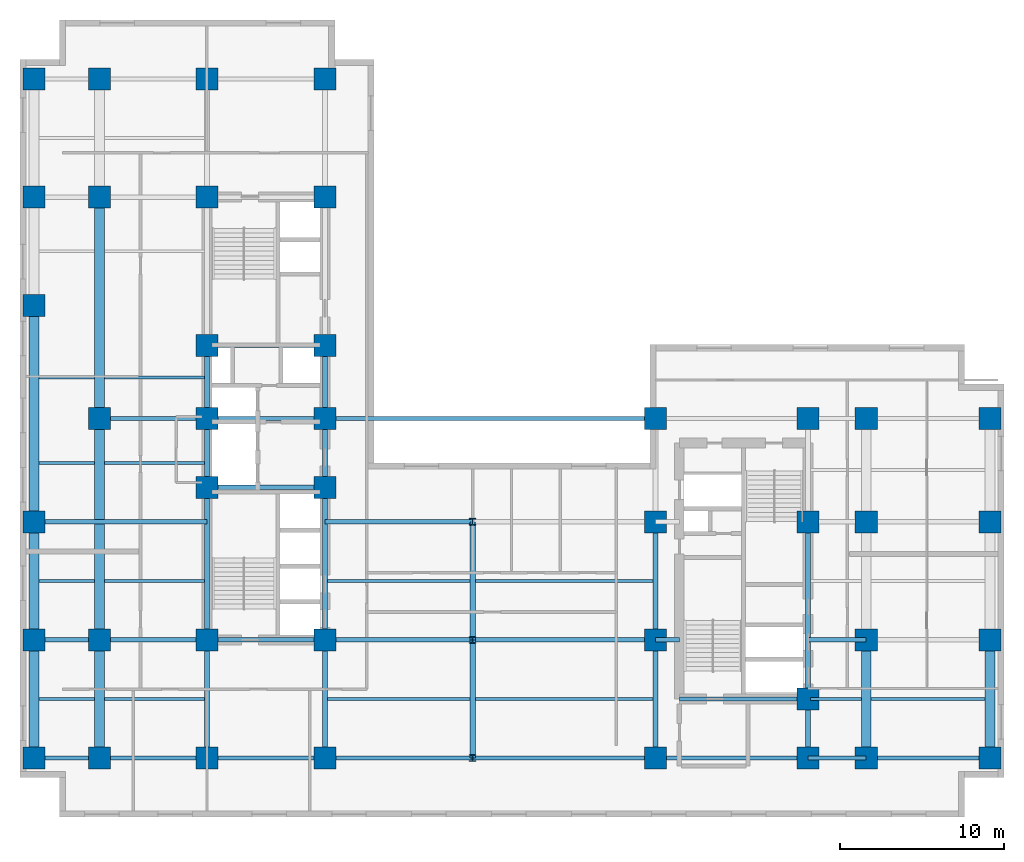
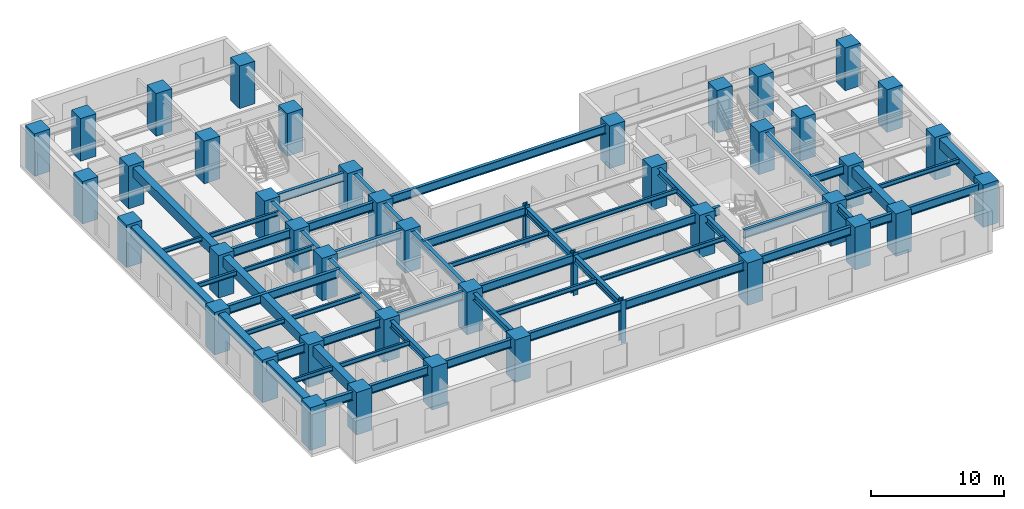
# One storey, part 1 of 9: 59 beams, 44 columns.
"""IFC4 building model written with IfcOpenShell, lengths in metres."""

import ifcopenshell
import ifcopenshell.guid

model = None  # the IFC model being written
_history = None  # IfcOwnerHistory: only IFC2X3 demands one
_inside = {}  # id of a spatial element -> (the spatial element, [elements in it])
_under = {}  # id of a project, library or spatial element -> (it, [spatial elements below it])
_declared = {}  # id of a project -> (the project, [libraries it declares])
_typed = {}  # id of a type object -> (the type object, [elements of that type])
_made_of = {}  # id of a material, layer set ... -> (it, [elements and type objects made of it])


def new_model(schema):
    """Start an empty IFC model of exactly this schema.

    Asked for "IFC4X3", IfcOpenShell would pick the latest addendum, in which some entities
    have other attributes; the version numbers below select the first issue.
    IFC2X3 requires an IfcOwnerHistory on every rooted entity: one is made here for all.
    """
    global model, _history
    if schema == "IFC4X3":
        model = ifcopenshell.file(schema_version=(4, 3, 0, 0))
    else:
        model = ifcopenshell.file(schema=schema)
    _inside.clear()
    _under.clear()
    _declared.clear()
    _typed.clear()
    _made_of.clear()
    _history = None
    if model.schema == "IFC2X3":
        org = make("IfcOrganization", Name="unknown")
        user = make(
            "IfcPersonAndOrganization",
            ThePerson=make("IfcPerson", FamilyName="unknown"),
            TheOrganization=org,
        )
        app = make(
            "IfcApplication",
            ApplicationDeveloper=org,
            Version="unknown",
            ApplicationFullName="unknown",
            ApplicationIdentifier="unknown",
        )
        _history = make(
            "IfcOwnerHistory",
            OwningUser=user,
            OwningApplication=app,
            ChangeAction="ADDED",
            CreationDate=0,
        )
    return model


def make(cls, **values):
    """One entity of the class cls with the attributes given. An attribute that is None is left unset."""
    return model.create_entity(
        cls, **{name: value for name, value in values.items() if value is not None}
    )


def entity(cls, *values):
    """Any entity or typed value of the class cls, its attributes in the order of the schema. None: left unset."""
    e = model.create_entity(cls)
    for i, value in enumerate(values):
        if value is not None:
            e[i] = value
    return e


def rooted(cls, **values):
    """An entity with a GlobalId (a new one), such as an element, a storey or a relation."""
    return make(cls, GlobalId=ifcopenshell.guid.new(), OwnerHistory=_history, **values)


def si_unit(unit_type, name, prefix=None):
    """IfcSIUnit, for example si_unit("LENGTHUNIT", "METRE", prefix="MILLI")."""
    return make("IfcSIUnit", UnitType=unit_type, Prefix=prefix, Name=name)


def converted_unit(unit_type, name, factor, base, dimensions=None, offset=None):
    """IfcConversionBasedUnit, such as the inch: factor (a typed value) times the base unit."""
    return make(
        "IfcConversionBasedUnit"
        if offset is None
        else "IfcConversionBasedUnitWithOffset",
        ConversionOffset=offset,
        Dimensions=None
        if dimensions is None
        else entity("IfcDimensionalExponents", *dimensions),
        UnitType=unit_type,
        Name=name,
        ConversionFactor=make(
            "IfcMeasureWithUnit", ValueComponent=factor, UnitComponent=base
        ),
    )


def assignment(units):
    """IfcUnitAssignment: the units of a project."""
    return None if units is None else make("IfcUnitAssignment", Units=units)


def point(xyz):
    """IfcCartesianPoint."""
    return None if xyz is None else make("IfcCartesianPoint", Coordinates=xyz)


def direction(xyz):
    """IfcDirection."""
    return None if xyz is None else make("IfcDirection", DirectionRatios=xyz)


def frame(location, z_axis=None, x_axis=None):
    """IfcAxis2Placement3D, a coordinate frame: its origin and axes. An axis left out is left unset."""
    return make(
        "IfcAxis2Placement3D",
        Location=point(location),
        Axis=direction(z_axis),
        RefDirection=direction(x_axis),
    )


def frame_2d(location, x_axis=None):
    """IfcAxis2Placement2D, a coordinate frame in the plane: its origin and x axis."""
    return make(
        "IfcAxis2Placement2D", Location=point(location), RefDirection=direction(x_axis)
    )


def origin_with_axes():
    """The frame at (0, 0, 0) with the z axis (0, 0, 1) and the x axis (1, 0, 0) written out."""
    return frame((0.0, 0.0, 0.0), z_axis=(0.0, 0.0, 1.0), x_axis=(1.0, 0.0, 0.0))


def origin_2d_with_axis():
    """The frame at (0, 0) in the plane with the x axis (1, 0) written out."""
    return frame_2d((0.0, 0.0), x_axis=(1.0, 0.0))


def place(relative_to, where):
    """IfcLocalPlacement: puts the frame where relative to a parent placement (None: the world)."""
    return make(
        "IfcLocalPlacement", PlacementRelTo=relative_to, RelativePlacement=where
    )


def context(
    kind, dimensions, precision=None, world=None, true_north=None, identifier=None
):
    """IfcGeometricRepresentationContext, for example the 3D "Model" context."""
    return make(
        "IfcGeometricRepresentationContext",
        ContextIdentifier=identifier,
        ContextType=kind,
        CoordinateSpaceDimension=dimensions,
        Precision=precision,
        WorldCoordinateSystem=world,
        TrueNorth=true_north,
    )


def subcontext(parent, identifier, kind, view, scale=None):
    """IfcGeometricRepresentationSubContext, for example "Body" below "Model"."""
    return make(
        "IfcGeometricRepresentationSubContext",
        ContextIdentifier=identifier,
        ContextType=kind,
        ParentContext=parent,
        TargetScale=scale,
        TargetView=view,
    )


def project(units=None, contexts=None):
    """IfcProject with its units and contexts."""
    return rooted(
        "IfcProject",
        Name="project",
        RepresentationContexts=contexts,
        UnitsInContext=assignment(units),
    )


def spatial(cls, under=None, at=None, **own):
    """A site, building, storey or space (cls), placed at a placement, below another one or the project."""
    s = rooted(cls, ObjectPlacement=at, **own)
    if under is not None:
        _under.setdefault(under.id(), (under, []))[1].append(s)
    return s


def profile(cls, at=None, kind="AREA", **sizes):
    """A parametric profile (cls). Its sizes go by their IFC names, for example OverallWidth=200.0."""
    return make(cls, ProfileType=kind, Position=at, **sizes)


def rectangle(**sizes):
    """IfcRectangleProfileDef."""
    return profile("IfcRectangleProfileDef", **sizes)


def i_section(**sizes):
    """IfcIShapeProfileDef."""
    return profile("IfcIShapeProfileDef", **sizes)


def extrude(swept, where, along, depth):
    """IfcExtrudedAreaSolid: the profile swept, set in the frame where, extruded along a direction by depth."""
    return make(
        "IfcExtrudedAreaSolid",
        SweptArea=swept,
        Position=where,
        ExtrudedDirection=direction(along),
        Depth=depth,
    )


def shape(context_of_items, identifier, shape_type, items):
    """IfcShapeRepresentation: the items that make up one representation, for example the "Body"."""
    return make(
        "IfcShapeRepresentation",
        ContextOfItems=context_of_items,
        RepresentationIdentifier=identifier,
        RepresentationType=shape_type,
        Items=items,
    )


def material(Name=None, Category=None):
    """IfcMaterial."""
    return make("IfcMaterial", Name=Name, Category=Category)


def material_profile(
    of_material, cross_section, Name=None, Category=None, Priority=None
):
    """IfcMaterialProfile: a cross section and its material."""
    return make(
        "IfcMaterialProfile",
        Name=Name,
        Material=of_material,
        Profile=cross_section,
        Priority=Priority,
        Category=Category,
    )


def profile_set(profiles, Name=None, composite=None):
    """IfcMaterialProfileSet."""
    return make(
        "IfcMaterialProfileSet",
        Name=Name,
        MaterialProfiles=profiles,
        CompositeProfile=composite,
    )


def made_of(thing, what):
    """Note that an element or type object is made of a material, layer set ...; save() writes the relation."""
    if what is not None:
        _made_of.setdefault(what.id(), (what, []))[1].append(thing)
    return thing


def type_object(cls, material=None, **own):
    """A type object (cls), such as IfcWallType, which elements share."""
    return made_of(rooted(cls, **own), material)


def element(
    cls,
    number,
    at=None,
    inside=None,
    cuts=None,
    type_object=None,
    material=None,
    context=None,
    identifier="Body",
    shape_type=None,
    held_by="IfcProductDefinitionShape",
    body=None,
    shapes=None,
    **own,
):
    """One element of the class cls, such as IfcWall. Its Tag is "e" and its number.

    at: its placement. inside: the storey or other place that contains it. cuts: it is an
    opening in that element (IfcRelVoidsElement). A single representation is given by context,
    identifier, shape_type and body (its items); several are given by shapes. held_by: the class
    of the entity that holds the representations. save() writes the other relations.
    """
    e = rooted(cls, Tag="e%d" % number, ObjectPlacement=at, **own)
    if body is not None:
        shapes = [shape(context, identifier, shape_type, body)]
    if shapes is not None:
        e.Representation = make(held_by, Representations=shapes)
    if inside is not None:
        _inside.setdefault(inside.id(), (inside, []))[1].append(e)
    if cuts is not None:
        rooted(
            "IfcRelVoidsElement", RelatingBuildingElement=cuts, RelatedOpeningElement=e
        )
    if type_object is not None:
        _typed.setdefault(type_object.id(), (type_object, []))[1].append(e)
    return made_of(e, material)


def aggregate(whole, parts):
    """IfcRelAggregates: a whole, such as a stair, and the parts it consists of."""
    return rooted("IfcRelAggregates", RelatingObject=whole, RelatedObjects=parts)


def save(model, path):
    """Write the relations noted so far, then the file.

    IfcRelAggregates (storeys below a building ...), IfcRelContainedInSpatialStructure (elements
    in a storey), IfcRelDefinesByType, IfcRelAssociatesMaterial and IfcRelDeclares: one each for
    every whole, place, type object, material and project.
    """
    for whole, parts in _under.values():
        aggregate(whole, parts)
    for where, things in _inside.values():
        rooted(
            "IfcRelContainedInSpatialStructure",
            RelatedElements=things,
            RelatingStructure=where,
        )
    for kind, things in _typed.values():
        rooted("IfcRelDefinesByType", RelatedObjects=things, RelatingType=kind)
    for what, things in _made_of.values():
        rooted("IfcRelAssociatesMaterial", RelatedObjects=things, RelatingMaterial=what)
    for by, libraries in _declared.values():
        rooted("IfcRelDeclares", RelatingContext=by, RelatedDefinitions=libraries)
    model.write(path)


model = new_model("IFC4")

# Units and contexts
model_context = context("Model", 3, precision=1e-05, world=origin_with_axes(), true_north=direction((0.0, 1.0)))
body_context = subcontext(model_context, "Body", "Model", "MODEL_VIEW")
ifc_project = project(units=[si_unit("LENGTHUNIT", "METRE"), si_unit("AREAUNIT", "SQUARE_METRE"), si_unit("VOLUMEUNIT", "CUBIC_METRE"), converted_unit("PLANEANGLEUNIT", "DEGREE", entity("IfcPlaneAngleMeasure", 0.017453292519943295), si_unit("PLANEANGLEUNIT", "RADIAN"), dimensions=[0, 0, 0, 0, 0, 0, 0]), si_unit("MASSUNIT", "GRAM", prefix="KILO"), si_unit("THERMODYNAMICTEMPERATUREUNIT", "KELVIN")], contexts=[model_context])

# Site, building, storey
site_placement = place(None, origin_with_axes())
site = spatial("IfcSite", under=ifc_project, at=site_placement, CompositionType="ELEMENT")
building_placement = place(site_placement, origin_with_axes())
building = spatial("IfcBuilding", under=site, at=building_placement, Name="Varnlund Millrace Tower", CompositionType="ELEMENT")
storey_placement = place(building_placement, frame((0.0, 0.0, 67.8), z_axis=(0.0, 0.0, 1.0), x_axis=(1.0, 0.0, 0.0)))
storey = spatial("IfcBuildingStorey", under=building, at=storey_placement, Name="L16", CompositionType="ELEMENT", Elevation=67.8)

# Columns
ifc_material_1 = material(Name="Steel ASTM A913 Grade 65", Category="steel")
ifc_material_profile_1 = material_profile(ifc_material_1, i_section(OverallWidth=0.406, OverallDepth=0.416, WebThickness=0.0298, FlangeThickness=0.048, FilletRadius=0.022, at=origin_2d_with_axis()), Name="Steel ASTM A913 Grade 65")
ifc_profile_set_1 = profile_set([ifc_material_profile_1], Name="Steel ASTM A913 Grade 65")
column_type_1 = type_object("IfcColumnType", Name="Type-Col-Int-W14X257", PredefinedType="COLUMN", material=ifc_profile_set_1)
for number, where, z_axis, x_axis, name in (
    (1, (27.6, 3.6, 0.0), (0.0, 0.0, 1.0), (1.0, 0.0, 0.0), "Type-Col-Int-W14X257"),
    (2, (27.6, 10.8, 0.0), (0.0, 0.0, 1.0), (1.0, 0.0, 0.0), "Type-Col-Int-W14X257"),
    (3, (27.6, 18.0, 0.0), (0.0, 0.0, 1.0), (1.0, 0.0, 0.0), "Type-Col-Int-W14X257"),
):
    element("IfcColumn", number, at=place(storey_placement, frame(where, z_axis=z_axis, x_axis=x_axis)), inside=storey, type_object=column_type_1, Name=name, PredefinedType="COLUMN", context=body_context, shape_type="SweptSolid", body=[
        extrude(i_section(OverallWidth=0.406, OverallDepth=0.416, WebThickness=0.0298, FlangeThickness=0.048, FilletRadius=0.022, at=origin_2d_with_axis()), origin_with_axes(), (0.0, 0.0, 1.0), 3.9),
    ])
ifc_material_2 = material(Name="Concrete C80/95", Category="concrete")
ifc_material_profile_2 = material_profile(ifc_material_2, rectangle(XDim=1.35, YDim=1.35, at=origin_2d_with_axis()), Name="Concrete C80/95")
ifc_profile_set_2 = profile_set([ifc_material_profile_2], Name="Concrete C80/95")
column_type_2 = type_object("IfcColumnType", Name="Type-Col-RC1350-C80", PredefinedType="COLUMN", material=ifc_profile_set_2)
for number, where, z_axis, x_axis, name in (
    (4, (11.4, 3.6, 0.0), (0.0, 0.0, 1.0), (1.0, 0.0, 0.0), "Type-Col-RC1350-C80"),
    (5, (11.4, 10.8, 0.0), (0.0, 0.0, 1.0), (1.0, 0.0, 0.0), "Type-Col-RC1350-C80"),
    (6, (11.4, 20.1, 0.0), (0.0, 0.0, 1.0), (1.0, 0.0, 0.0), "Type-Col-RC1350-C80"),
    (7, (11.4, 24.3, 0.0), (0.0, 0.0, 1.0), (1.0, 0.0, 0.0), "Type-Col-RC1350-C80"),
    (8, (11.4, 28.75, 0.0), (0.0, 0.0, 1.0), (1.0, 0.0, 0.0), "Type-Col-RC1350-C80"),
    (9, (11.4, 37.8, 0.0), (0.0, 0.0, 1.0), (1.0, 0.0, 0.0), "Type-Col-RC1350-C80"),
    (10, (11.4, 45.0, 0.0), (0.0, 0.0, 1.0), (1.0, 0.0, 0.0), "Type-Col-RC1350-C80"),
    (11, (18.6, 3.6, 0.0), (0.0, 0.0, 1.0), (1.0, 0.0, 0.0), "Type-Col-RC1350-C80"),
    (12, (18.6, 10.8, 0.0), (0.0, 0.0, 1.0), (1.0, 0.0, 0.0), "Type-Col-RC1350-C80"),
    (13, (18.6, 20.1, 0.0), (0.0, 0.0, 1.0), (1.0, 0.0, 0.0), "Type-Col-RC1350-C80"),
    (14, (18.6, 24.3, 0.0), (0.0, 0.0, 1.0), (1.0, 0.0, 0.0), "Type-Col-RC1350-C80"),
    (15, (18.6, 28.75, 0.0), (0.0, 0.0, 1.0), (1.0, 0.0, 0.0), "Type-Col-RC1350-C80"),
    (16, (18.6, 37.8, 0.0), (0.0, 0.0, 1.0), (1.0, 0.0, 0.0), "Type-Col-RC1350-C80"),
    (17, (18.6, 45.0, 0.0), (0.0, 0.0, 1.0), (1.0, 0.0, 0.0), "Type-Col-RC1350-C80"),
    (18, (4.85, 3.6, 0.0), (0.0, 0.0, 1.0), (1.0, 0.0, 0.0), "Type-Col-RC1350-C80"),
    (19, (4.85, 10.8, 0.0), (0.0, 0.0, 1.0), (1.0, 0.0, 0.0), "Type-Col-RC1350-C80"),
    (20, (4.85, 24.3, 0.0), (0.0, 0.0, 1.0), (1.0, 0.0, 0.0), "Type-Col-RC1350-C80"),
    (21, (4.85, 37.8, 0.0), (0.0, 0.0, 1.0), (1.0, 0.0, 0.0), "Type-Col-RC1350-C80"),
    (22, (4.85, 45.0, 0.0), (0.0, 0.0, 1.0), (1.0, 0.0, 0.0), "Type-Col-RC1350-C80"),
    (23, (0.85, 3.6, 0.0), (0.0, 0.0, 1.0), (1.0, 0.0, 0.0), "Type-Col-RC1350-C80"),
    (24, (0.85, 10.8, 0.0), (0.0, 0.0, 1.0), (1.0, 0.0, 0.0), "Type-Col-RC1350-C80"),
    (25, (0.85, 18.0, 0.0), (0.0, 0.0, 1.0), (1.0, 0.0, 0.0), "Type-Col-RC1350-C80"),
    (26, (0.85, 31.2, 0.0), (0.0, 0.0, 1.0), (1.0, 0.0, 0.0), "Type-Col-RC1350-C80"),
    (27, (0.85, 37.8, 0.0), (0.0, 0.0, 1.0), (1.0, 0.0, 0.0), "Type-Col-RC1350-C80"),
    (28, (0.85, 45.0, 0.0), (0.0, 0.0, 1.0), (1.0, 0.0, 0.0), "Type-Col-RC1350-C80"),
    (29, (38.75, 3.6, 0.0), (0.0, 0.0, 1.0), (1.0, 0.0, 0.0), "Type-Col-RC1350-C80"),
    (30, (38.75, 10.8, 0.0), (0.0, 0.0, 1.0), (1.0, 0.0, 0.0), "Type-Col-RC1350-C80"),
    (31, (38.75, 18.0, 0.0), (0.0, 0.0, 1.0), (1.0, 0.0, 0.0), "Type-Col-RC1350-C80"),
    (32, (38.75, 24.3, 0.0), (0.0, 0.0, 1.0), (1.0, 0.0, 0.0), "Type-Col-RC1350-C80"),
    (33, (48.05, 3.6, 0.0), (0.0, 0.0, 1.0), (1.0, 0.0, 0.0), "Type-Col-RC1350-C80"),
    (34, (48.05, 7.2, 0.0), (0.0, 0.0, 1.0), (1.0, 0.0, 0.0), "Type-Col-RC1350-C80"),
    (35, (48.05, 18.0, 0.0), (0.0, 0.0, 1.0), (1.0, 0.0, 0.0), "Type-Col-RC1350-C80"),
    (36, (48.05, 24.3, 0.0), (0.0, 0.0, 1.0), (1.0, 0.0, 0.0), "Type-Col-RC1350-C80"),
    (37, (51.6, 3.6, 0.0), (0.0, 0.0, 1.0), (1.0, 0.0, 0.0), "Type-Col-RC1350-C80"),
    (38, (51.6, 10.8, 0.0), (0.0, 0.0, 1.0), (1.0, 0.0, 0.0), "Type-Col-RC1350-C80"),
    (39, (51.6, 18.0, 0.0), (0.0, 0.0, 1.0), (1.0, 0.0, 0.0), "Type-Col-RC1350-C80"),
    (40, (51.6, 24.3, 0.0), (0.0, 0.0, 1.0), (1.0, 0.0, 0.0), "Type-Col-RC1350-C80"),
    (41, (59.15, 3.6, 0.0), (0.0, 0.0, 1.0), (1.0, 0.0, 0.0), "Type-Col-RC1350-C80"),
    (42, (59.15, 10.8, 0.0), (0.0, 0.0, 1.0), (1.0, 0.0, 0.0), "Type-Col-RC1350-C80"),
    (43, (59.15, 18.0, 0.0), (0.0, 0.0, 1.0), (1.0, 0.0, 0.0), "Type-Col-RC1350-C80"),
    (44, (59.15, 24.3, 0.0), (0.0, 0.0, 1.0), (1.0, 0.0, 0.0), "Type-Col-RC1350-C80"),
):
    element("IfcColumn", number, at=place(storey_placement, frame(where, z_axis=z_axis, x_axis=x_axis)), inside=storey, type_object=column_type_2, Name=name, PredefinedType="COLUMN", context=body_context, shape_type="SweptSolid", body=[
        extrude(rectangle(XDim=1.35, YDim=1.35, at=origin_2d_with_axis()), origin_with_axes(), (0.0, 0.0, 1.0), 3.9),
    ])

# Beams
ifc_material_3 = material(Name="Steel ASTM A992 Grade 50", Category="steel")
ifc_material_profile_3 = material_profile(ifc_material_3, i_section(OverallWidth=0.328, OverallDepth=0.628, WebThickness=0.0165, FlangeThickness=0.0277, FilletRadius=0.018, at=origin_2d_with_axis()), Name="Steel ASTM A992 Grade 50")
ifc_profile_set_3 = profile_set([ifc_material_profile_3], Name="Steel ASTM A992 Grade 50")
beam_type_1 = type_object("IfcBeamType", Name="Type-Girder-W24X146", PredefinedType="USERDEFINED", material=ifc_profile_set_3)
beam_1_placement = place(storey_placement, frame((11.4, 3.6, 3.346), z_axis=(0.0, 1.0, 0.0), x_axis=(-1.0, 0.0, 0.0)))
element("IfcBeam", 45, at=beam_1_placement, inside=storey, type_object=beam_type_1, Name="Type-Girder-W24X146", ObjectType="GIRDER", PredefinedType="USERDEFINED", context=body_context, shape_type="SweptSolid", body=[
    extrude(i_section(OverallWidth=0.328, OverallDepth=0.628, WebThickness=0.0165, FlangeThickness=0.0277, FilletRadius=0.018, at=origin_2d_with_axis()), origin_with_axes(), (0.0, 0.0, 1.0), 7.2),
])
beam_2_placement = place(storey_placement, frame((11.4, 10.8, 3.346), z_axis=(0.0, 1.0, 0.0), x_axis=(-1.0, 0.0, 0.0)))
element("IfcBeam", 46, at=beam_2_placement, inside=storey, type_object=beam_type_1, Name="Type-Girder-W24X146", ObjectType="GIRDER", PredefinedType="USERDEFINED", context=body_context, shape_type="SweptSolid", body=[
    extrude(i_section(OverallWidth=0.328, OverallDepth=0.628, WebThickness=0.0165, FlangeThickness=0.0277, FilletRadius=0.018, at=origin_2d_with_axis()), origin_with_axes(), (0.0, 0.0, 1.0), 9.3),
])
beam_3_placement = place(storey_placement, frame((11.4, 20.1, 3.346), z_axis=(0.0, 1.0, 0.0), x_axis=(-1.0, 0.0, 0.0)))
element("IfcBeam", 47, at=beam_3_placement, inside=storey, type_object=beam_type_1, Name="Type-Girder-W24X146", ObjectType="GIRDER", PredefinedType="USERDEFINED", context=body_context, shape_type="SweptSolid", body=[
    extrude(i_section(OverallWidth=0.328, OverallDepth=0.628, WebThickness=0.0165, FlangeThickness=0.0277, FilletRadius=0.018, at=origin_2d_with_axis()), origin_with_axes(), (0.0, 0.0, 1.0), 4.2),
])
beam_4_placement = place(storey_placement, frame((11.4, 24.3, 3.346), z_axis=(0.0, 1.0, 0.0), x_axis=(-1.0, 0.0, 0.0)))
element("IfcBeam", 48, at=beam_4_placement, inside=storey, type_object=beam_type_1, Name="Type-Girder-W24X146", ObjectType="GIRDER", PredefinedType="USERDEFINED", context=body_context, shape_type="SweptSolid", body=[
    extrude(i_section(OverallWidth=0.328, OverallDepth=0.628, WebThickness=0.0165, FlangeThickness=0.0277, FilletRadius=0.018, at=origin_2d_with_axis()), origin_with_axes(), (0.0, 0.0, 1.0), 4.45),
])
beam_5_placement = place(storey_placement, frame((18.6, 3.6, 3.346), z_axis=(0.0, 1.0, 0.0), x_axis=(-1.0, 0.0, 0.0)))
element("IfcBeam", 49, at=beam_5_placement, inside=storey, type_object=beam_type_1, Name="Type-Girder-W24X146", ObjectType="GIRDER", PredefinedType="USERDEFINED", context=body_context, shape_type="SweptSolid", body=[
    extrude(i_section(OverallWidth=0.328, OverallDepth=0.628, WebThickness=0.0165, FlangeThickness=0.0277, FilletRadius=0.018, at=origin_2d_with_axis()), origin_with_axes(), (0.0, 0.0, 1.0), 7.2),
])
beam_6_placement = place(storey_placement, frame((18.6, 10.8, 3.346), z_axis=(0.0, 1.0, 0.0), x_axis=(-1.0, 0.0, 0.0)))
element("IfcBeam", 50, at=beam_6_placement, inside=storey, type_object=beam_type_1, Name="Type-Girder-W24X146", ObjectType="GIRDER", PredefinedType="USERDEFINED", context=body_context, shape_type="SweptSolid", body=[
    extrude(i_section(OverallWidth=0.328, OverallDepth=0.628, WebThickness=0.0165, FlangeThickness=0.0277, FilletRadius=0.018, at=origin_2d_with_axis()), origin_with_axes(), (0.0, 0.0, 1.0), 9.3),
])
beam_7_placement = place(storey_placement, frame((18.6, 20.1, 3.346), z_axis=(0.0, 1.0, 0.0), x_axis=(-1.0, 0.0, 0.0)))
element("IfcBeam", 51, at=beam_7_placement, inside=storey, type_object=beam_type_1, Name="Type-Girder-W24X146", ObjectType="GIRDER", PredefinedType="USERDEFINED", context=body_context, shape_type="SweptSolid", body=[
    extrude(i_section(OverallWidth=0.328, OverallDepth=0.628, WebThickness=0.0165, FlangeThickness=0.0277, FilletRadius=0.018, at=origin_2d_with_axis()), origin_with_axes(), (0.0, 0.0, 1.0), 4.2),
])
beam_8_placement = place(storey_placement, frame((18.6, 24.3, 3.346), z_axis=(0.0, 1.0, 0.0), x_axis=(-1.0, 0.0, 0.0)))
element("IfcBeam", 52, at=beam_8_placement, inside=storey, type_object=beam_type_1, Name="Type-Girder-W24X146", ObjectType="GIRDER", PredefinedType="USERDEFINED", context=body_context, shape_type="SweptSolid", body=[
    extrude(i_section(OverallWidth=0.328, OverallDepth=0.628, WebThickness=0.0165, FlangeThickness=0.0277, FilletRadius=0.018, at=origin_2d_with_axis()), origin_with_axes(), (0.0, 0.0, 1.0), 4.45),
])
for number, where, z_axis, x_axis, name in (
    (53, (27.6, 3.6, 3.346), (0.0, 1.0, 0.0), (-1.0, 0.0, 0.0), "Type-Girder-W24X146"),
    (54, (27.6, 10.8, 3.346), (0.0, 1.0, 0.0), (-1.0, 0.0, 0.0), "Type-Girder-W24X146"),
    (55, (38.75, 3.6, 3.346), (0.0, 1.0, 0.0), (-1.0, 0.0, 0.0), "Type-Girder-W24X146"),
    (56, (38.75, 10.8, 3.346), (0.0, 1.0, 0.0), (-1.0, 0.0, 0.0), "Type-Girder-W24X146"),
):
    element("IfcBeam", number, at=place(storey_placement, frame(where, z_axis=z_axis, x_axis=x_axis)), inside=storey, type_object=beam_type_1, Name=name, ObjectType="GIRDER", PredefinedType="USERDEFINED", context=body_context, shape_type="SweptSolid", body=[
        extrude(i_section(OverallWidth=0.328, OverallDepth=0.628, WebThickness=0.0165, FlangeThickness=0.0277, FilletRadius=0.018, at=origin_2d_with_axis()), origin_with_axes(), (0.0, 0.0, 1.0), 7.2),
    ])
beam_9_placement = place(storey_placement, frame((48.05, 3.6, 3.346), z_axis=(0.0, 1.0, 0.0), x_axis=(-1.0, 0.0, 0.0)))
element("IfcBeam", 57, at=beam_9_placement, inside=storey, type_object=beam_type_1, Name="Type-Girder-W24X146", ObjectType="GIRDER", PredefinedType="USERDEFINED", context=body_context, shape_type="SweptSolid", body=[
    extrude(i_section(OverallWidth=0.328, OverallDepth=0.628, WebThickness=0.0165, FlangeThickness=0.0277, FilletRadius=0.018, at=origin_2d_with_axis()), origin_with_axes(), (0.0, 0.0, 1.0), 3.6),
])
beam_10_placement = place(storey_placement, frame((48.05, 7.2, 3.346), z_axis=(0.0, 1.0, 0.0), x_axis=(-1.0, 0.0, 0.0)))
element("IfcBeam", 58, at=beam_10_placement, inside=storey, type_object=beam_type_1, Name="Type-Girder-W24X146", ObjectType="GIRDER", PredefinedType="USERDEFINED", context=body_context, shape_type="SweptSolid", body=[
    extrude(i_section(OverallWidth=0.328, OverallDepth=0.628, WebThickness=0.0165, FlangeThickness=0.0277, FilletRadius=0.018, at=origin_2d_with_axis()), origin_with_axes(), (0.0, 0.0, 1.0), 10.8),
])
ifc_material_profile_4 = material_profile(ifc_material_3, i_section(OverallWidth=0.266, OverallDepth=0.779, WebThickness=0.0165, FlangeThickness=0.03, FilletRadius=0.02, at=origin_2d_with_axis()), Name="Steel ASTM A992 Grade 50")
ifc_profile_set_4 = profile_set([ifc_material_profile_4], Name="Steel ASTM A992 Grade 50")
beam_type_2 = type_object("IfcBeamType", Name="Type-Girder-W30X148", PredefinedType="USERDEFINED", material=ifc_profile_set_4)
beam_11_placement = place(storey_placement, frame((0.85, 3.6, 3.2705), z_axis=(1.0, 0.0, 0.0), x_axis=(0.0, 1.0, 0.0)))
element("IfcBeam", 59, at=beam_11_placement, inside=storey, type_object=beam_type_2, Name="Type-Girder-W30X148", ObjectType="GIRDER", PredefinedType="USERDEFINED", context=body_context, shape_type="SweptSolid", body=[
    extrude(i_section(OverallWidth=0.266, OverallDepth=0.779, WebThickness=0.0165, FlangeThickness=0.03, FilletRadius=0.02, at=origin_2d_with_axis()), origin_with_axes(), (0.0, 0.0, 1.0), 4.0),
])
beam_12_placement = place(storey_placement, frame((4.85, 3.6, 3.2705), z_axis=(1.0, 0.0, 0.0), x_axis=(0.0, 1.0, 0.0)))
element("IfcBeam", 60, at=beam_12_placement, inside=storey, type_object=beam_type_2, Name="Type-Girder-W30X148", ObjectType="GIRDER", PredefinedType="USERDEFINED", context=body_context, shape_type="SweptSolid", body=[
    extrude(i_section(OverallWidth=0.266, OverallDepth=0.779, WebThickness=0.0165, FlangeThickness=0.03, FilletRadius=0.02, at=origin_2d_with_axis()), origin_with_axes(), (0.0, 0.0, 1.0), 6.55),
])
beam_13_placement = place(storey_placement, frame((11.4, 3.6, 3.2705), z_axis=(1.0, 0.0, 0.0), x_axis=(0.0, 1.0, 0.0)))
element("IfcBeam", 61, at=beam_13_placement, inside=storey, type_object=beam_type_2, Name="Type-Girder-W30X148", ObjectType="GIRDER", PredefinedType="USERDEFINED", context=body_context, shape_type="SweptSolid", body=[
    extrude(i_section(OverallWidth=0.266, OverallDepth=0.779, WebThickness=0.0165, FlangeThickness=0.03, FilletRadius=0.02, at=origin_2d_with_axis()), origin_with_axes(), (0.0, 0.0, 1.0), 7.2),
])
beam_14_placement = place(storey_placement, frame((18.6, 3.6, 3.2705), z_axis=(1.0, 0.0, 0.0), x_axis=(0.0, 1.0, 0.0)))
element("IfcBeam", 62, at=beam_14_placement, inside=storey, type_object=beam_type_2, Name="Type-Girder-W30X148", ObjectType="GIRDER", PredefinedType="USERDEFINED", context=body_context, shape_type="SweptSolid", body=[
    extrude(i_section(OverallWidth=0.266, OverallDepth=0.779, WebThickness=0.0165, FlangeThickness=0.03, FilletRadius=0.02, at=origin_2d_with_axis()), origin_with_axes(), (0.0, 0.0, 1.0), 9.0),
])
beam_15_placement = place(storey_placement, frame((27.6, 3.6, 3.2705), z_axis=(1.0, 0.0, 0.0), x_axis=(0.0, 1.0, 0.0)))
element("IfcBeam", 63, at=beam_15_placement, inside=storey, type_object=beam_type_2, Name="Type-Girder-W30X148", ObjectType="GIRDER", PredefinedType="USERDEFINED", context=body_context, shape_type="SweptSolid", body=[
    extrude(i_section(OverallWidth=0.266, OverallDepth=0.779, WebThickness=0.0165, FlangeThickness=0.03, FilletRadius=0.02, at=origin_2d_with_axis()), origin_with_axes(), (0.0, 0.0, 1.0), 11.15),
])
beam_16_placement = place(storey_placement, frame((38.75, 3.6, 3.2705), z_axis=(1.0, 0.0, 0.0), x_axis=(0.0, 1.0, 0.0)))
element("IfcBeam", 64, at=beam_16_placement, inside=storey, type_object=beam_type_2, Name="Type-Girder-W30X148", ObjectType="GIRDER", PredefinedType="USERDEFINED", context=body_context, shape_type="SweptSolid", body=[
    extrude(i_section(OverallWidth=0.266, OverallDepth=0.779, WebThickness=0.0165, FlangeThickness=0.03, FilletRadius=0.02, at=origin_2d_with_axis()), origin_with_axes(), (0.0, 0.0, 1.0), 9.3),
])
beam_17_placement = place(storey_placement, frame((48.05, 3.6, 3.2705), z_axis=(1.0, 0.0, 0.0), x_axis=(0.0, 1.0, 0.0)))
element("IfcBeam", 65, at=beam_17_placement, inside=storey, type_object=beam_type_2, Name="Type-Girder-W30X148", ObjectType="GIRDER", PredefinedType="USERDEFINED", context=body_context, shape_type="SweptSolid", body=[
    extrude(i_section(OverallWidth=0.266, OverallDepth=0.779, WebThickness=0.0165, FlangeThickness=0.03, FilletRadius=0.02, at=origin_2d_with_axis()), origin_with_axes(), (0.0, 0.0, 1.0), 3.55),
])
beam_18_placement = place(storey_placement, frame((51.6, 3.6, 3.2705), z_axis=(1.0, 0.0, 0.0), x_axis=(0.0, 1.0, 0.0)))
element("IfcBeam", 66, at=beam_18_placement, inside=storey, type_object=beam_type_2, Name="Type-Girder-W30X148", ObjectType="GIRDER", PredefinedType="USERDEFINED", context=body_context, shape_type="SweptSolid", body=[
    extrude(i_section(OverallWidth=0.266, OverallDepth=0.779, WebThickness=0.0165, FlangeThickness=0.03, FilletRadius=0.02, at=origin_2d_with_axis()), origin_with_axes(), (0.0, 0.0, 1.0), 7.55),
])
beam_19_placement = place(storey_placement, frame((40.2, 7.2, 3.2705), z_axis=(1.0, 0.0, 0.0), x_axis=(0.0, 1.0, 0.0)))
element("IfcBeam", 67, at=beam_19_placement, inside=storey, type_object=beam_type_2, Name="Type-Girder-W30X148", ObjectType="GIRDER", PredefinedType="USERDEFINED", context=body_context, shape_type="SweptSolid", body=[
    extrude(i_section(OverallWidth=0.266, OverallDepth=0.779, WebThickness=0.0165, FlangeThickness=0.03, FilletRadius=0.02, at=origin_2d_with_axis()), origin_with_axes(), (0.0, 0.0, 1.0), 7.85),
])
beam_20_placement = place(storey_placement, frame((0.85, 10.8, 3.2705), z_axis=(1.0, 0.0, 0.0), x_axis=(0.0, 1.0, 0.0)))
element("IfcBeam", 68, at=beam_20_placement, inside=storey, type_object=beam_type_2, Name="Type-Girder-W30X148", ObjectType="GIRDER", PredefinedType="USERDEFINED", context=body_context, shape_type="SweptSolid", body=[
    extrude(i_section(OverallWidth=0.266, OverallDepth=0.779, WebThickness=0.0165, FlangeThickness=0.03, FilletRadius=0.02, at=origin_2d_with_axis()), origin_with_axes(), (0.0, 0.0, 1.0), 4.0),
])
beam_21_placement = place(storey_placement, frame((4.85, 10.8, 3.2705), z_axis=(1.0, 0.0, 0.0), x_axis=(0.0, 1.0, 0.0)))
element("IfcBeam", 69, at=beam_21_placement, inside=storey, type_object=beam_type_2, Name="Type-Girder-W30X148", ObjectType="GIRDER", PredefinedType="USERDEFINED", context=body_context, shape_type="SweptSolid", body=[
    extrude(i_section(OverallWidth=0.266, OverallDepth=0.779, WebThickness=0.0165, FlangeThickness=0.03, FilletRadius=0.02, at=origin_2d_with_axis()), origin_with_axes(), (0.0, 0.0, 1.0), 6.55),
])
beam_22_placement = place(storey_placement, frame((11.4, 10.8, 3.2705), z_axis=(1.0, 0.0, 0.0), x_axis=(0.0, 1.0, 0.0)))
element("IfcBeam", 70, at=beam_22_placement, inside=storey, type_object=beam_type_2, Name="Type-Girder-W30X148", ObjectType="GIRDER", PredefinedType="USERDEFINED", context=body_context, shape_type="SweptSolid", body=[
    extrude(i_section(OverallWidth=0.266, OverallDepth=0.779, WebThickness=0.0165, FlangeThickness=0.03, FilletRadius=0.02, at=origin_2d_with_axis()), origin_with_axes(), (0.0, 0.0, 1.0), 7.2),
])
beam_23_placement = place(storey_placement, frame((18.6, 10.8, 3.2705), z_axis=(1.0, 0.0, 0.0), x_axis=(0.0, 1.0, 0.0)))
element("IfcBeam", 71, at=beam_23_placement, inside=storey, type_object=beam_type_2, Name="Type-Girder-W30X148", ObjectType="GIRDER", PredefinedType="USERDEFINED", context=body_context, shape_type="SweptSolid", body=[
    extrude(i_section(OverallWidth=0.266, OverallDepth=0.779, WebThickness=0.0165, FlangeThickness=0.03, FilletRadius=0.02, at=origin_2d_with_axis()), origin_with_axes(), (0.0, 0.0, 1.0), 9.0),
])
beam_24_placement = place(storey_placement, frame((27.6, 10.8, 3.2705), z_axis=(1.0, 0.0, 0.0), x_axis=(0.0, 1.0, 0.0)))
element("IfcBeam", 72, at=beam_24_placement, inside=storey, type_object=beam_type_2, Name="Type-Girder-W30X148", ObjectType="GIRDER", PredefinedType="USERDEFINED", context=body_context, shape_type="SweptSolid", body=[
    extrude(i_section(OverallWidth=0.266, OverallDepth=0.779, WebThickness=0.0165, FlangeThickness=0.03, FilletRadius=0.02, at=origin_2d_with_axis()), origin_with_axes(), (0.0, 0.0, 1.0), 11.15),
])
beam_25_placement = place(storey_placement, frame((38.75, 10.8, 3.2705), z_axis=(1.0, 0.0, 0.0), x_axis=(0.0, 1.0, 0.0)))
element("IfcBeam", 73, at=beam_25_placement, inside=storey, type_object=beam_type_2, Name="Type-Girder-W30X148", ObjectType="GIRDER", PredefinedType="USERDEFINED", context=body_context, shape_type="SweptSolid", body=[
    extrude(i_section(OverallWidth=0.266, OverallDepth=0.779, WebThickness=0.0165, FlangeThickness=0.03, FilletRadius=0.02, at=origin_2d_with_axis()), origin_with_axes(), (0.0, 0.0, 1.0), 1.45),
])
beam_26_placement = place(storey_placement, frame((48.05, 10.8, 3.2705), z_axis=(1.0, 0.0, 0.0), x_axis=(0.0, 1.0, 0.0)))
element("IfcBeam", 74, at=beam_26_placement, inside=storey, type_object=beam_type_2, Name="Type-Girder-W30X148", ObjectType="GIRDER", PredefinedType="USERDEFINED", context=body_context, shape_type="SweptSolid", body=[
    extrude(i_section(OverallWidth=0.266, OverallDepth=0.779, WebThickness=0.0165, FlangeThickness=0.03, FilletRadius=0.02, at=origin_2d_with_axis()), origin_with_axes(), (0.0, 0.0, 1.0), 3.55),
])
beam_27_placement = place(storey_placement, frame((0.85, 18.0, 3.2705), z_axis=(1.0, 0.0, 0.0), x_axis=(0.0, 1.0, 0.0)))
element("IfcBeam", 75, at=beam_27_placement, inside=storey, type_object=beam_type_2, Name="Type-Girder-W30X148", ObjectType="GIRDER", PredefinedType="USERDEFINED", context=body_context, shape_type="SweptSolid", body=[
    extrude(i_section(OverallWidth=0.266, OverallDepth=0.779, WebThickness=0.0165, FlangeThickness=0.03, FilletRadius=0.02, at=origin_2d_with_axis()), origin_with_axes(), (0.0, 0.0, 1.0), 10.55),
])
beam_28_placement = place(storey_placement, frame((18.6, 18.0, 3.2705), z_axis=(1.0, 0.0, 0.0), x_axis=(0.0, 1.0, 0.0)))
element("IfcBeam", 76, at=beam_28_placement, inside=storey, type_object=beam_type_2, Name="Type-Girder-W30X148", ObjectType="GIRDER", PredefinedType="USERDEFINED", context=body_context, shape_type="SweptSolid", body=[
    extrude(i_section(OverallWidth=0.266, OverallDepth=0.779, WebThickness=0.0165, FlangeThickness=0.03, FilletRadius=0.02, at=origin_2d_with_axis()), origin_with_axes(), (0.0, 0.0, 1.0), 9.0),
])
beam_29_placement = place(storey_placement, frame((11.4, 20.1, 3.2705), z_axis=(1.0, 0.0, 0.0), x_axis=(0.0, 1.0, 0.0)))
element("IfcBeam", 77, at=beam_29_placement, inside=storey, type_object=beam_type_2, Name="Type-Girder-W30X148", ObjectType="GIRDER", PredefinedType="USERDEFINED", context=body_context, shape_type="SweptSolid", body=[
    extrude(i_section(OverallWidth=0.266, OverallDepth=0.779, WebThickness=0.0165, FlangeThickness=0.03, FilletRadius=0.02, at=origin_2d_with_axis()), origin_with_axes(), (0.0, 0.0, 1.0), 7.2),
])
beam_30_placement = place(storey_placement, frame((4.85, 24.3, 3.2705), z_axis=(1.0, 0.0, 0.0), x_axis=(0.0, 1.0, 0.0)))
element("IfcBeam", 78, at=beam_30_placement, inside=storey, type_object=beam_type_2, Name="Type-Girder-W30X148", ObjectType="GIRDER", PredefinedType="USERDEFINED", context=body_context, shape_type="SweptSolid", body=[
    extrude(i_section(OverallWidth=0.266, OverallDepth=0.779, WebThickness=0.0165, FlangeThickness=0.03, FilletRadius=0.02, at=origin_2d_with_axis()), origin_with_axes(), (0.0, 0.0, 1.0), 6.55),
])
beam_31_placement = place(storey_placement, frame((11.4, 24.3, 3.2705), z_axis=(1.0, 0.0, 0.0), x_axis=(0.0, 1.0, 0.0)))
element("IfcBeam", 79, at=beam_31_placement, inside=storey, type_object=beam_type_2, Name="Type-Girder-W30X148", ObjectType="GIRDER", PredefinedType="USERDEFINED", context=body_context, shape_type="SweptSolid", body=[
    extrude(i_section(OverallWidth=0.266, OverallDepth=0.779, WebThickness=0.0165, FlangeThickness=0.03, FilletRadius=0.02, at=origin_2d_with_axis()), origin_with_axes(), (0.0, 0.0, 1.0), 7.2),
])
beam_32_placement = place(storey_placement, frame((18.6, 24.3, 3.2705), z_axis=(1.0, 0.0, 0.0), x_axis=(0.0, 1.0, 0.0)))
element("IfcBeam", 80, at=beam_32_placement, inside=storey, type_object=beam_type_2, Name="Type-Girder-W30X148", ObjectType="GIRDER", PredefinedType="USERDEFINED", context=body_context, shape_type="SweptSolid", body=[
    extrude(i_section(OverallWidth=0.266, OverallDepth=0.779, WebThickness=0.0165, FlangeThickness=0.03, FilletRadius=0.02, at=origin_2d_with_axis()), origin_with_axes(), (0.0, 0.0, 1.0), 20.15),
])
beam_33_placement = place(storey_placement, frame((11.4, 28.75, 3.2705), z_axis=(1.0, 0.0, 0.0), x_axis=(0.0, 1.0, 0.0)))
element("IfcBeam", 81, at=beam_33_placement, inside=storey, type_object=beam_type_2, Name="Type-Girder-W30X148", ObjectType="GIRDER", PredefinedType="USERDEFINED", context=body_context, shape_type="SweptSolid", body=[
    extrude(i_section(OverallWidth=0.266, OverallDepth=0.779, WebThickness=0.0165, FlangeThickness=0.03, FilletRadius=0.02, at=origin_2d_with_axis()), origin_with_axes(), (0.0, 0.0, 1.0), 7.2),
])
ifc_material_profile_5 = material_profile(ifc_material_3, i_section(OverallWidth=0.181, OverallDepth=0.417, WebThickness=0.0109, FlangeThickness=0.0182, FilletRadius=0.013, at=origin_2d_with_axis()), Name="Steel ASTM A992 Grade 50")
ifc_profile_set_5 = profile_set([ifc_material_profile_5], Name="Steel ASTM A992 Grade 50")
beam_type_3 = type_object("IfcBeamType", Name="Type-Joist-W16X57", PredefinedType="JOIST", material=ifc_profile_set_5)
for number, where, z_axis, x_axis, name in (
    (82, (1.15, 7.2, 3.4515), (1.0, 0.0, 0.0), (0.0, 1.0, 0.0), "Type-Joist-W16X57"),
    (83, (1.15, 14.4, 3.4515), (1.0, 0.0, 0.0), (0.0, 1.0, 0.0), "Type-Joist-W16X57"),
    (84, (1.15, 21.6, 3.4515), (1.0, 0.0, 0.0), (0.0, 1.0, 0.0), "Type-Joist-W16X57"),
    (85, (1.15, 26.8, 3.4515), (1.0, 0.0, 0.0), (0.0, 1.0, 0.0), "Type-Joist-W16X57"),
):
    element("IfcBeam", number, at=place(storey_placement, frame(where, z_axis=z_axis, x_axis=x_axis)), inside=storey, type_object=beam_type_3, Name=name, PredefinedType="JOIST", context=body_context, shape_type="SweptSolid", body=[
        extrude(i_section(OverallWidth=0.181, OverallDepth=0.417, WebThickness=0.0109, FlangeThickness=0.0182, FilletRadius=0.013, at=origin_2d_with_axis()), origin_with_axes(), (0.0, 0.0, 1.0), 3.4),
    ])
for number, where, z_axis, x_axis, name in (
    (86, (5.15, 7.2, 3.4515), (1.0, 0.0, 0.0), (0.0, 1.0, 0.0), "Type-Joist-W16X57"),
    (87, (5.15, 14.4, 3.4515), (1.0, 0.0, 0.0), (0.0, 1.0, 0.0), "Type-Joist-W16X57"),
    (88, (5.15, 21.6, 3.4515), (1.0, 0.0, 0.0), (0.0, 1.0, 0.0), "Type-Joist-W16X57"),
    (89, (5.15, 26.8, 3.4515), (1.0, 0.0, 0.0), (0.0, 1.0, 0.0), "Type-Joist-W16X57"),
):
    element("IfcBeam", number, at=place(storey_placement, frame(where, z_axis=z_axis, x_axis=x_axis)), inside=storey, type_object=beam_type_3, Name=name, PredefinedType="JOIST", context=body_context, shape_type="SweptSolid", body=[
        extrude(i_section(OverallWidth=0.181, OverallDepth=0.417, WebThickness=0.0109, FlangeThickness=0.0182, FilletRadius=0.013, at=origin_2d_with_axis()), origin_with_axes(), (0.0, 0.0, 1.0), 6.086),
    ])
beam_34_placement = place(storey_placement, frame((48.214, 7.2, 3.4515), z_axis=(1.0, 0.0, 0.0), x_axis=(0.0, 1.0, 0.0)))
element("IfcBeam", 90, at=beam_34_placement, inside=storey, type_object=beam_type_3, Name="Type-Joist-W16X57", PredefinedType="JOIST", context=body_context, shape_type="SweptSolid", body=[
    extrude(i_section(OverallWidth=0.181, OverallDepth=0.417, WebThickness=0.0109, FlangeThickness=0.0182, FilletRadius=0.013, at=origin_2d_with_axis()), origin_with_axes(), (0.0, 0.0, 1.0), 3.086),
])
beam_35_placement = place(storey_placement, frame((51.9, 7.2, 3.4515), z_axis=(1.0, 0.0, 0.0), x_axis=(0.0, 1.0, 0.0)))
element("IfcBeam", 91, at=beam_35_placement, inside=storey, type_object=beam_type_3, Name="Type-Joist-W16X57", PredefinedType="JOIST", context=body_context, shape_type="SweptSolid", body=[
    extrude(i_section(OverallWidth=0.181, OverallDepth=0.417, WebThickness=0.0109, FlangeThickness=0.0182, FilletRadius=0.013, at=origin_2d_with_axis()), origin_with_axes(), (0.0, 0.0, 1.0), 6.95),
])
for number, where, z_axis, x_axis, name in (
    (92, (18.764, 7.2, 3.4515), (1.0, 0.0, 0.0), (0.0, 1.0, 0.0), "Type-Joist-W16X57"),
    (93, (18.764, 14.4, 3.4515), (1.0, 0.0, 0.0), (0.0, 1.0, 0.0), "Type-Joist-W16X57"),
):
    element("IfcBeam", number, at=place(storey_placement, frame(where, z_axis=z_axis, x_axis=x_axis)), inside=storey, type_object=beam_type_3, Name=name, PredefinedType="JOIST", context=body_context, shape_type="SweptSolid", body=[
        extrude(i_section(OverallWidth=0.181, OverallDepth=0.417, WebThickness=0.0109, FlangeThickness=0.0182, FilletRadius=0.013, at=origin_2d_with_axis()), origin_with_axes(), (0.0, 0.0, 1.0), 8.672),
    ])
for number, where, z_axis, x_axis, name in (
    (94, (27.764, 7.2, 3.4515), (1.0, 0.0, 0.0), (0.0, 1.0, 0.0), "Type-Joist-W16X57"),
    (95, (27.764, 14.4, 3.4515), (1.0, 0.0, 0.0), (0.0, 1.0, 0.0), "Type-Joist-W16X57"),
):
    element("IfcBeam", number, at=place(storey_placement, frame(where, z_axis=z_axis, x_axis=x_axis)), inside=storey, type_object=beam_type_3, Name=name, PredefinedType="JOIST", context=body_context, shape_type="SweptSolid", body=[
        extrude(i_section(OverallWidth=0.181, OverallDepth=0.417, WebThickness=0.0109, FlangeThickness=0.0182, FilletRadius=0.013, at=origin_2d_with_axis()), origin_with_axes(), (0.0, 0.0, 1.0), 10.822),
    ])
ifc_material_4 = material(Name="Concrete C70/85", Category="concrete")
ifc_material_profile_6 = material_profile(ifc_material_4, rectangle(XDim=0.6, YDim=0.9, at=origin_2d_with_axis()), Name="Concrete C70/85")
ifc_profile_set_6 = profile_set([ifc_material_profile_6], Name="Concrete C70/85")
beam_type_4 = type_object("IfcBeamType", Name="Type-Spandrel-RC600X900", PredefinedType="SPANDREL", material=ifc_profile_set_6)
for number, where, z_axis, x_axis, name in (
    (96, (0.85, 3.6, 3.21), (0.0, 1.0, 0.0), (-1.0, 0.0, 0.0), "Type-Spandrel-RC600X900"),
    (97, (0.85, 10.8, 3.21), (0.0, 1.0, 0.0), (-1.0, 0.0, 0.0), "Type-Spandrel-RC600X900"),
):
    element("IfcBeam", number, at=place(storey_placement, frame(where, z_axis=z_axis, x_axis=x_axis)), inside=storey, type_object=beam_type_4, Name=name, PredefinedType="SPANDREL", context=body_context, shape_type="SweptSolid", body=[
        extrude(rectangle(XDim=0.6, YDim=0.9, at=origin_2d_with_axis()), origin_with_axes(), (0.0, 0.0, 1.0), 7.2),
    ])
beam_36_placement = place(storey_placement, frame((0.85, 18.0, 3.21), z_axis=(0.0, 1.0, 0.0), x_axis=(-1.0, 0.0, 0.0)))
element("IfcBeam", 98, at=beam_36_placement, inside=storey, type_object=beam_type_4, Name="Type-Spandrel-RC600X900", PredefinedType="SPANDREL", context=body_context, shape_type="SweptSolid", body=[
    extrude(rectangle(XDim=0.6, YDim=0.9, at=origin_2d_with_axis()), origin_with_axes(), (0.0, 0.0, 1.0), 13.2),
])
beam_37_placement = place(storey_placement, frame((4.85, 3.6, 3.21), z_axis=(0.0, 1.0, 0.0), x_axis=(-1.0, 0.0, 0.0)))
element("IfcBeam", 99, at=beam_37_placement, inside=storey, type_object=beam_type_4, Name="Type-Spandrel-RC600X900", PredefinedType="SPANDREL", context=body_context, shape_type="SweptSolid", body=[
    extrude(rectangle(XDim=0.6, YDim=0.9, at=origin_2d_with_axis()), origin_with_axes(), (0.0, 0.0, 1.0), 7.2),
])
for number, where, z_axis, x_axis, name in (
    (100, (4.85, 10.8, 3.21), (0.0, 1.0, 0.0), (-1.0, 0.0, 0.0), "Type-Spandrel-RC600X900"),
    (101, (4.85, 24.3, 3.21), (0.0, 1.0, 0.0), (-1.0, 0.0, 0.0), "Type-Spandrel-RC600X900"),
):
    element("IfcBeam", number, at=place(storey_placement, frame(where, z_axis=z_axis, x_axis=x_axis)), inside=storey, type_object=beam_type_4, Name=name, PredefinedType="SPANDREL", context=body_context, shape_type="SweptSolid", body=[
        extrude(rectangle(XDim=0.6, YDim=0.9, at=origin_2d_with_axis()), origin_with_axes(), (0.0, 0.0, 1.0), 13.5),
    ])
for number, where, z_axis, x_axis, name in (
    (102, (51.6, 3.6, 3.21), (0.0, 1.0, 0.0), (-1.0, 0.0, 0.0), "Type-Spandrel-RC600X900"),
    (103, (59.15, 3.6, 3.21), (0.0, 1.0, 0.0), (-1.0, 0.0, 0.0), "Type-Spandrel-RC600X900"),
):
    element("IfcBeam", number, at=place(storey_placement, frame(where, z_axis=z_axis, x_axis=x_axis)), inside=storey, type_object=beam_type_4, Name=name, PredefinedType="SPANDREL", context=body_context, shape_type="SweptSolid", body=[
        extrude(rectangle(XDim=0.6, YDim=0.9, at=origin_2d_with_axis()), origin_with_axes(), (0.0, 0.0, 1.0), 7.2),
    ])

save(model, "model.ifc")
